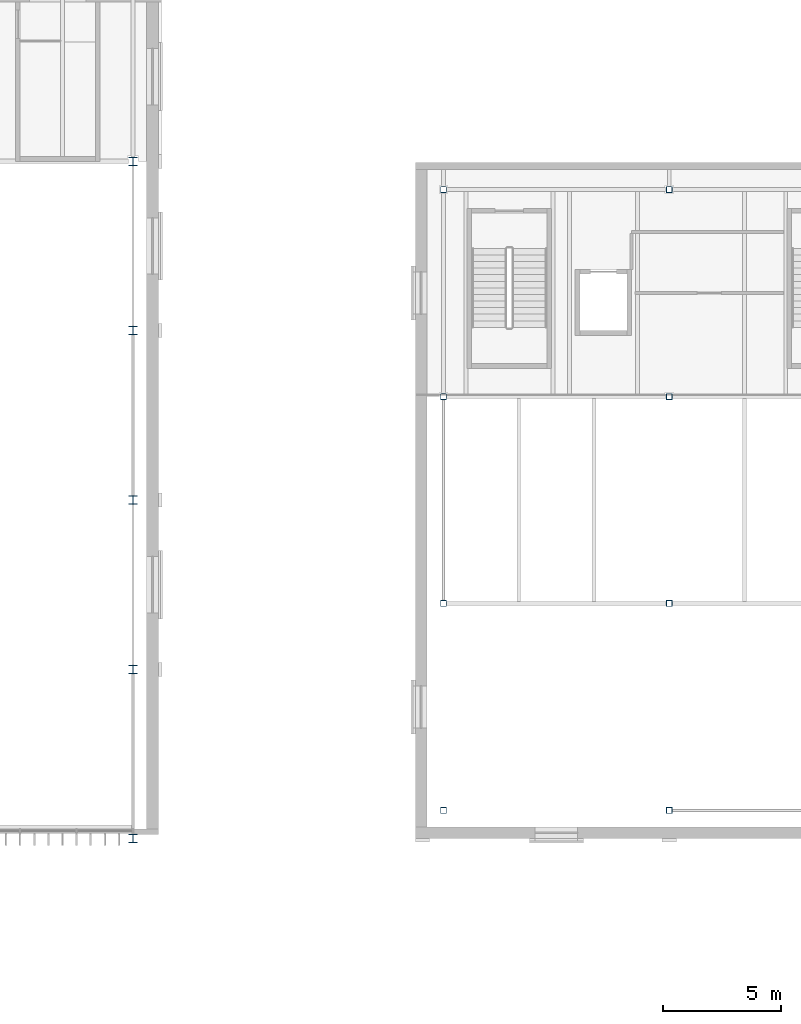
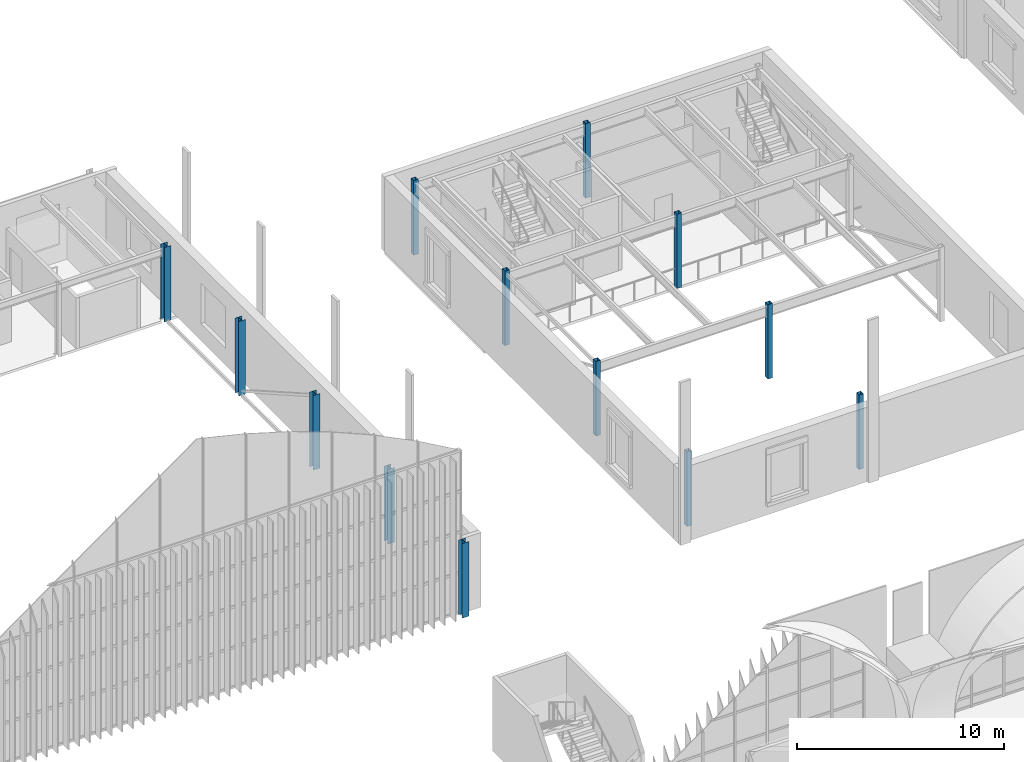
# One storey, part 11 of 169: 13 columns.
"""IFC4 building model written with IfcOpenShell, lengths in metres."""

from ifc_helpers import new_model, si_unit, direction, frame, origin, origin_2d, place, context, subcontext, project, spatial, hollow_rectangle, i_section, extrude, material, material_profile, profile_set, type_object, element, save


model = new_model("IFC4")

# Units and contexts
model_context = context("Model", 3, precision=1e-05, world=origin(), true_north=direction((0.0, 1.0)))
body_context = subcontext(model_context, "Body", "Model", "MODEL_VIEW")
ifc_project = project(units=[si_unit("LENGTHUNIT", "METRE"), si_unit("AREAUNIT", "SQUARE_METRE"), si_unit("VOLUMEUNIT", "CUBIC_METRE"), si_unit("PLANEANGLEUNIT", "RADIAN"), si_unit("MASSUNIT", "GRAM", prefix="KILO")], contexts=[model_context])

# Site, building, storey
site_placement = place(None, origin())
site = spatial("IfcSite", under=ifc_project, at=site_placement, CompositionType="ELEMENT")
building_placement = place(site_placement, origin())
building = spatial("IfcBuilding", under=site, at=building_placement, Name="Verrick Yard Athletic Hall", CompositionType="ELEMENT")
storey_placement = place(building_placement, frame((0.0, 0.0, 4.39990234375)))
storey = spatial("IfcBuildingStorey", under=building, at=storey_placement, Name="L01", CompositionType="ELEMENT", Elevation=4.39990234375)

# Columns
ifc_material_1 = material(Name="Structural steel HSS Class C 350W (CSA G40.20/G40.21)", Category="steel")
ifc_material_profile_1 = material_profile(ifc_material_1, hollow_rectangle(XDim=0.25390625, YDim=0.25390625, WallThickness=0.0126953125, at=origin_2d()), Name="HSS254x254x13")
ifc_profile_set_1 = profile_set([ifc_material_profile_1], Name="Structural steel HSS Class C 350W (CSA G40.20/G40.21)")
column_type_1 = type_object("IfcColumnType", Name="HB column HSS254x254x13", PredefinedType="COLUMN", material=ifc_profile_set_1)
for number, where, z_axis, x_axis, name in (
    (1, (89.199951171875, 73.199951171875, 0.0), (0.0, 0.0, 1.0), (1.0, 0.0, 0.0), "HB-C-CH11-L01"),
    (2, (89.199951171875, 82.0, 0.0), (0.0, 0.0, 1.0), (1.0, 0.0, 0.0), "HB-C-CH12-L01"),
    (3, (89.199951171875, 90.800048828125, 0.0), (0.0, 0.0, 1.0), (1.0, 0.0, 0.0), "HB-C-CH13-L01"),
    (4, (89.199951171875, 99.60009765625, 0.0), (0.0, 0.0, 1.0), (1.0, 0.0, 0.0), "HB-C-CH14-L01"),
    (5, (98.800048828125, 73.199951171875, 0.0), (0.0, 0.0, 1.0), (1.0, 0.0, 0.0), "HB-C-CH21-L01"),
    (6, (98.800048828125, 82.0, 0.0), (0.0, 0.0, 1.0), (1.0, 0.0, 0.0), "HB-C-CH22-L01"),
    (7, (98.800048828125, 90.800048828125, 0.0), (0.0, 0.0, 1.0), (1.0, 0.0, 0.0), "HB-C-CH23-L01"),
    (8, (98.800048828125, 99.60009765625, 0.0), (0.0, 0.0, 1.0), (1.0, 0.0, 0.0), "HB-C-CH24-L01"),
):
    element("IfcColumn", number, at=place(storey_placement, frame(where, z_axis=z_axis, x_axis=x_axis)), inside=storey, type_object=column_type_1, Name=name, PredefinedType="COLUMN", context=body_context, shape_type="SweptSolid", body=[
        extrude(hollow_rectangle(XDim=0.25390625, YDim=0.25390625, WallThickness=0.0126953125, at=origin_2d()), origin(), (0.0, 0.0, 1.0), 4.400146484375),
    ])
ifc_material_2 = material(Name="Structural steel 350W (CSA G40.21)", Category="steel")
ifc_material_profile_2 = material_profile(ifc_material_2, i_section(OverallWidth=0.368896484375, OverallDepth=0.35595703125, WebThickness=0.01123046875, FlangeThickness=0.01806640625, at=origin_2d()), Name="W360x134")
ifc_profile_set_2 = profile_set([ifc_material_profile_2], Name="Structural steel 350W (CSA G40.21)")
column_type_2 = type_object("IfcColumnType", Name="HB column W360x134", PredefinedType="COLUMN", material=ifc_profile_set_2)
for number, where, z_axis, x_axis, name in (
    (9, (76.0, 72.0, 0.0), (0.0, 0.0, 1.0), (1.0, 0.0, 0.0), "HB-C-HBE1-L01"),
    (10, (76.0, 79.199951171875, 0.0), (0.0, 0.0, 1.0), (1.0, 0.0, 0.0), "HB-C-HBE2-L01"),
    (11, (76.0, 86.39990234375, 0.0), (0.0, 0.0, 1.0), (1.0, 0.0, 0.0), "HB-C-HBE3-L01"),
    (12, (76.0, 93.60009765625, 0.0), (0.0, 0.0, 1.0), (1.0, 0.0, 0.0), "HB-C-HBE4-L01"),
    (13, (76.0, 100.800048828125, 0.0), (0.0, 0.0, 1.0), (1.0, 0.0, 0.0), "HB-C-HBE5-L01"),
):
    element("IfcColumn", number, at=place(storey_placement, frame(where, z_axis=z_axis, x_axis=x_axis)), inside=storey, type_object=column_type_2, Name=name, PredefinedType="COLUMN", context=body_context, shape_type="SweptSolid", body=[
        extrude(i_section(OverallWidth=0.368896484375, OverallDepth=0.35595703125, WebThickness=0.01123046875, FlangeThickness=0.01806640625, at=origin_2d()), origin(), (0.0, 0.0, 1.0), 4.400146484375),
    ])

save(model, "model.ifc")
